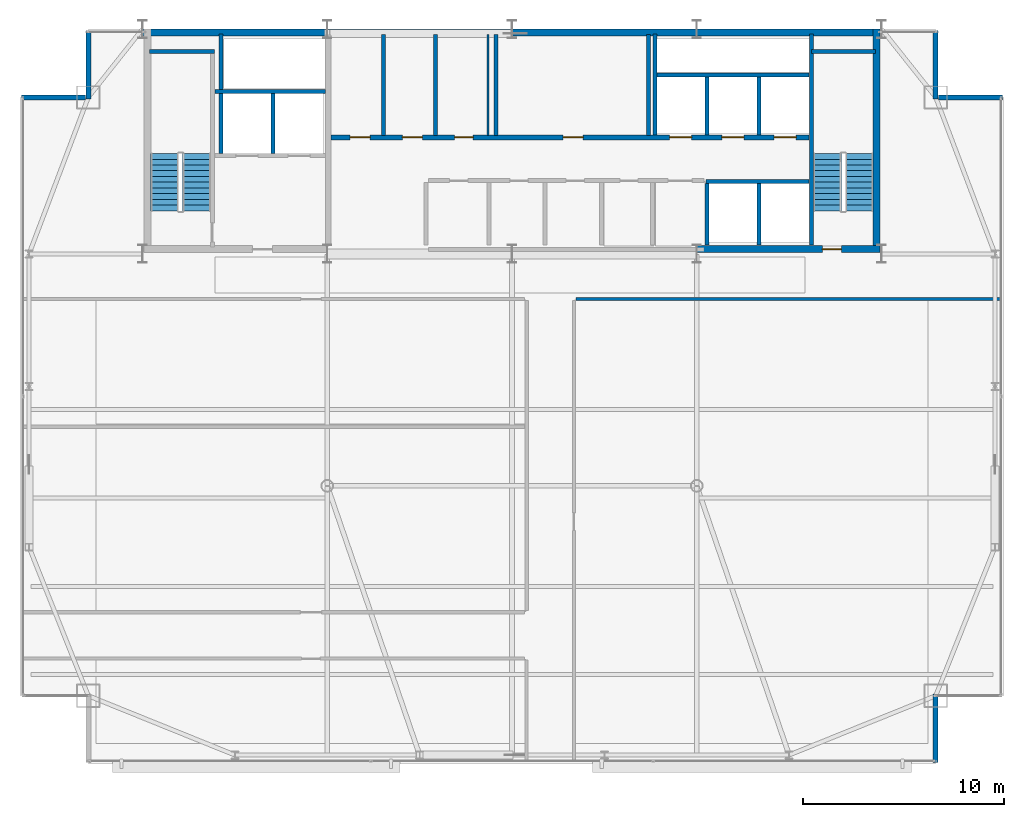
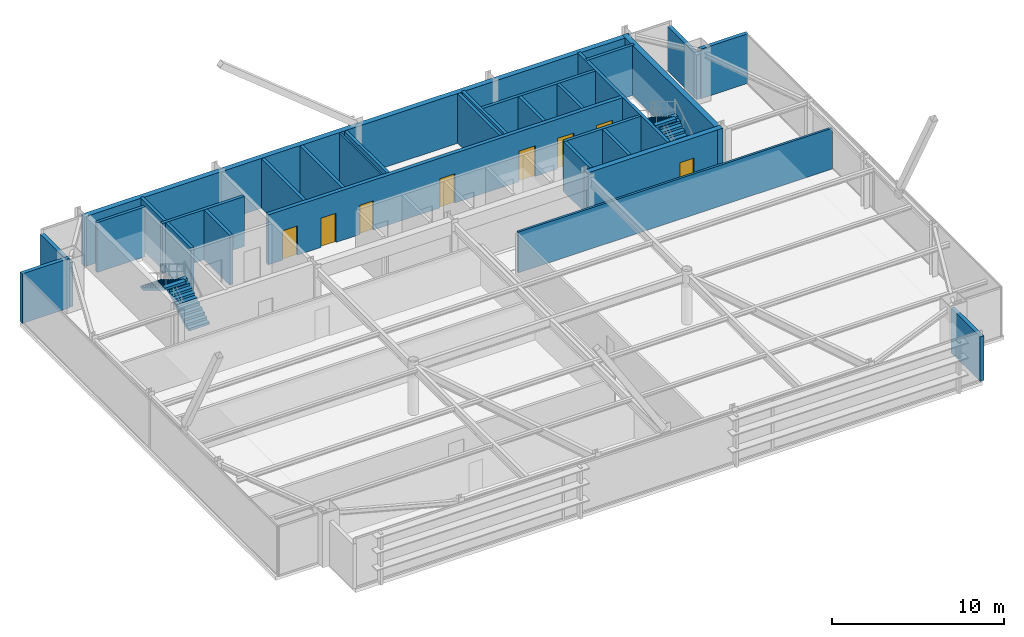
# One storey, part 25 of 27: 28 walls, 8 doors, 4 stair flights, 8 openings, 2 elements without a shape of their own.
"""IFC4 building model written with IfcOpenShell, lengths in metres."""

from ifc_helpers import new_model, si_unit, direction, frame, frame_2d, origin, place, context, subcontext, project, spatial, polyline, rectangle, outline, extrude, source, transform, mapped, material, layer, layer_set, type_object, type_shapes, element, fill, aggregate, save


model = new_model("IFC4")

# Units and contexts
model_context = context("Model", 3, precision=1e-05, world=origin(), true_north=direction((0.0, 1.0)))
body_context = subcontext(model_context, "Body", "Model", "MODEL_VIEW")
ifc_project = project(units=[si_unit("LENGTHUNIT", "METRE"), si_unit("AREAUNIT", "SQUARE_METRE"), si_unit("VOLUMEUNIT", "CUBIC_METRE"), si_unit("PLANEANGLEUNIT", "RADIAN"), si_unit("MASSUNIT", "GRAM", prefix="KILO")], contexts=[model_context])

# Site, building, storey
site_placement = place(None, origin())
site = spatial("IfcSite", under=ifc_project, at=site_placement, CompositionType="ELEMENT")
building_placement = place(site_placement, origin())
building = spatial("IfcBuilding", under=site, at=building_placement, Name="Varnel Quay Broadcast Tower", CompositionType="ELEMENT")
storey_placement = place(building_placement, frame((0.0, 0.0, 243.199951171875)))
storey = spatial("IfcBuildingStorey", under=building, at=storey_placement, Name="L60", CompositionType="ELEMENT", Elevation=243.199951171875)

# Walls
ifc_material_1 = material(Name="Concrete CSA A23.3 C50/60", Category="concrete")
ifc_layer_1 = layer(ifc_material_1, 0.199951171875, Name="Concrete CSA A23.3 C50/60")
ifc_layer_set_1 = layer_set([ifc_layer_1], Name="Concrete CSA A23.3 C50/60")
wall_type_1 = type_object("IfcWallType", Name="Wall_CoreShaftShear200", PredefinedType="SHEAR", material=ifc_layer_set_1)
wall_1_placement = place(storey_placement, frame((15.949951171875, 45.679931640625, 0.0), z_axis=(0.0, 0.0, 1.0), x_axis=(1.0, 0.0, 0.0)))
element("IfcWall", 1, at=wall_1_placement, inside=storey, type_object=wall_type_1, Name="L60 Stair 1 North Structural Wall", PredefinedType="SHEAR", context=body_context, shape_type="SweptSolid", body=[
    extrude(rectangle(XDim=3.22998046875, YDim=0.199951171875, at=frame_2d((1.614990234375, 0.0))), origin(), (0.0, 0.0, 1.0), 3.550048828125),
])
wall_2_placement = place(storey_placement, frame((19.199951171875, 43.699951171875, 0.0), z_axis=(0.0, 0.0, 1.0), x_axis=(1.0, 0.0, 0.0)))
element("IfcWall", 2, at=wall_2_placement, inside=storey, type_object=wall_type_1, Name="L60 Firefighter Lift Shaft Rear Wall", PredefinedType="SHEAR", context=body_context, shape_type="SweptSolid", body=[
    extrude(rectangle(XDim=5.52001953125, YDim=0.199951171875, at=frame_2d((2.760009765625, 0.0))), origin(), (0.0, 0.0, 1.0), 3.550048828125),
])
wall_3_placement = place(storey_placement, frame((22.10009765625, 40.60009765625, 0.0), z_axis=(0.0, 0.0, 1.0), x_axis=(0.0, 1.0, 0.0)))
element("IfcWall", 3, at=wall_3_placement, inside=storey, type_object=wall_type_1, Name="L60 Firefighter Lift Shaft Divider", PredefinedType="SHEAR", context=body_context, shape_type="SweptSolid", body=[
    extrude(rectangle(XDim=3.0, YDim=0.199951171875, at=frame_2d((1.5, 0.0))), origin(), (0.0, 0.0, 1.0), 3.550048828125),
])
wall_4_placement = place(storey_placement, frame((19.5, 40.60009765625, 0.0), z_axis=(0.0, 0.0, 1.0), x_axis=(0.0, 1.0, 0.0)))
element("IfcWall", 4, at=wall_4_placement, inside=storey, type_object=wall_type_1, Name="L60 Firefighter Lift Shaft West Wall", PredefinedType="SHEAR", context=body_context, shape_type="SweptSolid", body=[
    extrude(rectangle(XDim=5.949951171875, YDim=0.199951171875, at=frame_2d((2.97509765625, 0.0))), origin(), (0.0, 0.0, 1.0), 3.550048828125),
])
wall_5_placement = place(storey_placement, frame((48.919921875, 36.050048828125, 0.0), z_axis=(0.0, 0.0, 1.0), x_axis=(0.0, 1.0, 0.0)))
element("IfcWall", 5, at=wall_5_placement, inside=storey, type_object=wall_type_1, Name="L60 Stair 2 West Structural Wall", PredefinedType="SHEAR", context=body_context, shape_type="SweptSolid", body=[
    extrude(rectangle(XDim=10.5, YDim=0.199951171875, at=frame_2d((5.25, 0.0))), origin(), (0.0, 0.0, 1.0), 3.550048828125),
])
wall_6_placement = place(storey_placement, frame((48.919921875, 45.679931640625, 0.0), z_axis=(0.0, 0.0, 1.0), x_axis=(1.0, 0.0, 0.0)))
element("IfcWall", 6, at=wall_6_placement, inside=storey, type_object=wall_type_1, Name="L60 Stair 2 North Structural Wall", PredefinedType="SHEAR", context=body_context, shape_type="SweptSolid", body=[
    extrude(rectangle(XDim=3.18017578125, YDim=0.199951171875, at=frame_2d((1.590087890625, 0.0))), origin(), (0.0, 0.0, 1.0), 3.550048828125),
])
wall_7_placement = place(storey_placement, frame((41.219970703125, 44.5, 0.0), z_axis=(0.0, 0.0, 1.0), x_axis=(1.0, 0.0, 0.0)))
element("IfcWall", 7, at=wall_7_placement, inside=storey, type_object=wall_type_1, Name="L60 High-Rise Lift Shaft Rear Wall", PredefinedType="SHEAR", context=body_context, shape_type="SweptSolid", body=[
    extrude(rectangle(XDim=7.580078125, YDim=0.199951171875, at=frame_2d((3.7900390625, 0.0))), origin(), (0.0, 0.0, 1.0), 3.550048828125),
])
wall_8_placement = place(storey_placement, frame((41.1201171875, 41.530029296875, 0.0), z_axis=(0.0, 0.0, 1.0), x_axis=(0.0, 1.0, 0.0)))
element("IfcWall", 8, at=wall_8_placement, inside=storey, type_object=wall_type_1, Name="L60 High-Rise Lift Shaft Divider 1", PredefinedType="SHEAR", context=body_context, shape_type="SweptSolid", body=[
    extrude(rectangle(XDim=5.02001953125, YDim=0.199951171875, at=frame_2d((2.510009765625, 0.0))), origin(), (0.0, 0.0, 1.0), 3.550048828125),
])
for number, where, z_axis, x_axis, name in (
    (9, (43.699951171875, 41.530029296875, 0.0), (0.0, 0.0, 1.0), (0.0, 1.0, 0.0), "L60 High-Rise Lift Shaft Divider 2"),
    (10, (46.300048828125, 41.530029296875, 0.0), (0.0, 0.0, 1.0), (0.0, 1.0, 0.0), "L60 High-Rise Lift Shaft Divider 3"),
):
    element("IfcWall", number, at=place(storey_placement, frame(where, z_axis=z_axis, x_axis=x_axis)), inside=storey, type_object=wall_type_1, Name=name, PredefinedType="SHEAR", context=body_context, shape_type="SweptSolid", body=[
        extrude(rectangle(XDim=2.869873046875, YDim=0.199951171875, at=frame_2d((1.43505859375, 0.0))), origin(), (0.0, 0.0, 1.0), 3.550048828125),
    ])
for number, where, z_axis, x_axis, name in (
    (11, (43.699951171875, 36.050048828125, 0.0), (0.0, 0.0, 1.0), (0.0, 1.0, 0.0), "L60 Express Lift Shaft West Wall"),
    (12, (46.300048828125, 36.050048828125, 0.0), (0.0, 0.0, 1.0), (0.0, 1.0, 0.0), "L60 Express Lift Shaft Divider"),
):
    element("IfcWall", number, at=place(storey_placement, frame(where, z_axis=z_axis, x_axis=x_axis)), inside=storey, type_object=wall_type_1, Name=name, PredefinedType="SHEAR", context=body_context, shape_type="SweptSolid", body=[
        extrude(rectangle(XDim=3.050048828125, YDim=0.199951171875, at=frame_2d((1.52490234375, 0.0))), origin(), (0.0, 0.0, 1.0), 3.550048828125),
    ])
wall_9_placement = place(storey_placement, frame((43.64990234375, 39.199951171875, 0.0), z_axis=(0.0, 0.0, 1.0), x_axis=(1.0, 0.0, 0.0)))
element("IfcWall", 13, at=wall_9_placement, inside=storey, type_object=wall_type_1, Name="L60 Express Lift Shaft North Front Wall", PredefinedType="SHEAR", context=body_context, shape_type="SweptSolid", body=[
    extrude(rectangle(XDim=5.150146484375, YDim=0.199951171875, at=frame_2d((2.5751953125, 0.0))), origin(), (0.0, 0.0, 1.0), 3.550048828125),
])

# Wall, openings, doors
ifc_layer_2 = layer(ifc_material_1, 0.25, Name="Concrete CSA A23.3 C50/60")
ifc_layer_set_2 = layer_set([ifc_layer_2], Name="Concrete CSA A23.3 C50/60")
wall_type_2 = type_object("IfcWallType", Name="Wall_CoreShaftShear250", PredefinedType="SHEAR", material=ifc_layer_set_2)
wall_10_placement = place(storey_placement, frame((24.97998046875, 41.39990234375, 0.0), z_axis=(0.0, 0.0, 1.0), x_axis=(1.0, 0.0, 0.0)))
wall_10 = element("IfcWall", 14, at=wall_10_placement, inside=storey, type_object=wall_type_2, Name="L60 North Lift Bank & Reclaimed Suite Wall", PredefinedType="SHEAR", context=body_context, shape_type="SweptSolid", body=[
    extrude(rectangle(XDim=23.820068359375, YDim=0.25, at=frame_2d((11.91015625, 0.0))), origin(), (0.0, 0.0, 1.0), 3.550048828125),
])
opening_1_placement = place(wall_10_placement, frame((16.8701171875, 0.0, 0.0)))
opening_1 = element("IfcOpeningElement", 15, at=opening_1_placement, cuts=wall_10, Name="Opening LD-L60-PH-01", PredefinedType="OPENING", context=body_context, shape_type="SweptSolid", body=[
    extrude(rectangle(XDim=1.10009765625, YDim=2.179931640625, at=frame_2d((0.550048828125, 1.08984375))), frame((0.0, 0.135009765625, 0.0), z_axis=(0.0, -1.0, 0.0), x_axis=(1.0, 0.0, 0.0)), (0.0, 0.0, 1.0), 0.27001953125),
])
opening_2_placement = place(wall_10_placement, frame((19.469970703125, 0.0, 0.0)))
opening_2 = element("IfcOpeningElement", 16, at=opening_2_placement, cuts=wall_10, Name="Opening LD-L60-PH-02", PredefinedType="OPENING", context=body_context, shape_type="SweptSolid", body=[
    extrude(rectangle(XDim=1.10009765625, YDim=2.179931640625, at=frame_2d((0.550048828125, 1.08984375))), frame((0.0, 0.135009765625, 0.0), z_axis=(0.0, -1.0, 0.0), x_axis=(1.0, 0.0, 0.0)), (0.0, 0.0, 1.0), 0.27001953125),
])
opening_3_placement = place(wall_10_placement, frame((22.070068359375, 0.0, 0.0)))
opening_3 = element("IfcOpeningElement", 17, at=opening_3_placement, cuts=wall_10, Name="Opening LD-L60-PH-03", PredefinedType="OPENING", context=body_context, shape_type="SweptSolid", body=[
    extrude(rectangle(XDim=1.10009765625, YDim=2.179931640625, at=frame_2d((0.550048828125, 1.08984375))), frame((0.0, 0.135009765625, 0.0), z_axis=(0.0, -1.0, 0.0), x_axis=(1.0, 0.0, 0.0)), (0.0, 0.0, 1.0), 0.27001953125),
])
opening_4_placement = place(wall_10_placement, frame((0.9599609375, 0.0, 0.0)))
opening_4 = element("IfcOpeningElement", 18, at=opening_4_placement, cuts=wall_10, Name="Opening D-L60-RECA1", PredefinedType="OPENING", context=body_context, shape_type="SweptSolid", body=[
    extrude(rectangle(XDim=1.0, YDim=2.080078125, at=frame_2d((0.5, 1.0400390625))), frame((0.0, 0.135009765625, 0.0), z_axis=(0.0, -1.0, 0.0), x_axis=(1.0, 0.0, 0.0)), (0.0, 0.0, 1.0), 0.27001953125),
])
opening_5_placement = place(wall_10_placement, frame((3.56005859375, 0.0, 0.0)))
opening_5 = element("IfcOpeningElement", 19, at=opening_5_placement, cuts=wall_10, Name="Opening D-L60-RECA2", PredefinedType="OPENING", context=body_context, shape_type="SweptSolid", body=[
    extrude(rectangle(XDim=1.0, YDim=2.080078125, at=frame_2d((0.5, 1.0400390625))), frame((0.0, 0.135009765625, 0.0), z_axis=(0.0, -1.0, 0.0), x_axis=(1.0, 0.0, 0.0)), (0.0, 0.0, 1.0), 0.27001953125),
])
opening_6_placement = place(wall_10_placement, frame((6.159912109375, 0.0, 0.0)))
opening_6 = element("IfcOpeningElement", 20, at=opening_6_placement, cuts=wall_10, Name="Opening D-L60-RECA3", PredefinedType="OPENING", context=body_context, shape_type="SweptSolid", body=[
    extrude(rectangle(XDim=0.919921875, YDim=2.080078125, at=frame_2d((0.4599609375, 1.0400390625))), frame((0.0, 0.135009765625, 0.0), z_axis=(0.0, -1.0, 0.0), x_axis=(1.0, 0.0, 0.0)), (0.0, 0.0, 1.0), 0.27001953125),
])
opening_7_placement = place(wall_10_placement, frame((11.56005859375, 0.0, 0.0)))
opening_7 = element("IfcOpeningElement", 21, at=opening_7_placement, cuts=wall_10, Name="Opening D-L60-RECB1", PredefinedType="OPENING", context=body_context, shape_type="SweptSolid", body=[
    extrude(rectangle(XDim=1.0, YDim=2.080078125, at=frame_2d((0.5, 1.0400390625))), frame((0.0, 0.135009765625, 0.0), z_axis=(0.0, -1.0, 0.0), x_axis=(1.0, 0.0, 0.0)), (0.0, 0.0, 1.0), 0.27001953125),
])
ifc_material_2 = material(Name="Brushed Bronze-Stainless Lift Car & Sliding Doors", Category="steel")
door_type_1 = type_object("IfcDoorType", Name="Door_LiftLanding1100", OperationType="SLIDING_TO_LEFT", PredefinedType="DOOR", material=ifc_material_2)
shared_shape_1 = source(origin(), body_context, "Body", "SweptSolid", [
    extrude(rectangle(XDim=1.10009765625, YDim=2.179931640625, at=frame_2d((0.550048828125, 1.08984375))), frame((0.0, 0.02490234375, 0.0), z_axis=(0.0, -1.0, 0.0), x_axis=(1.0, 0.0, 0.0)), (0.0, 0.0, 1.0), 0.050048828125),
])
type_shapes(door_type_1, [shared_shape_1])
door_1_placement = place(opening_1_placement, frame((1.10009765625, 0.0, 0.0), z_axis=(0.0, 0.0, 1.0), x_axis=(-1.0, 0.0, 0.0)))
door_1 = element("IfcDoor", 22, at=door_1_placement, inside=storey, type_object=door_type_1, Name="L60 Lift PH-01 Landing Door", OperationType="SLIDING_TO_LEFT", OverallHeight=2.179931640625, OverallWidth=1.10009765625, PredefinedType="DOOR", context=body_context, shape_type="MappedRepresentation", body=[
    mapped(shared_shape_1, transform((0.0, 0.0, 0.0), x_axis=(1.0, 0.0, 0.0), y_axis=(0.0, 1.0, 0.0), z_axis=(0.0, 0.0, 1.0), scale=1.0)),
])
fill(opening_1, door_1)
door_2_placement = place(opening_2_placement, frame((1.10009765625, 0.0, 0.0), z_axis=(0.0, 0.0, 1.0), x_axis=(-1.0, 0.0, 0.0)))
door_2 = element("IfcDoor", 23, at=door_2_placement, inside=storey, type_object=door_type_1, Name="L60 Lift PH-02 Landing Door", OperationType="SLIDING_TO_LEFT", OverallHeight=2.179931640625, OverallWidth=1.10009765625, PredefinedType="DOOR", context=body_context, shape_type="MappedRepresentation", body=[
    mapped(shared_shape_1, transform((0.0, 0.0, 0.0), x_axis=(1.0, 0.0, 0.0), y_axis=(0.0, 1.0, 0.0), z_axis=(0.0, 0.0, 1.0), scale=1.0)),
])
fill(opening_2, door_2)
door_3_placement = place(opening_3_placement, frame((1.10009765625, 0.0, 0.0), z_axis=(0.0, 0.0, 1.0), x_axis=(-1.0, 0.0, 0.0)))
door_3 = element("IfcDoor", 24, at=door_3_placement, inside=storey, type_object=door_type_1, Name="L60 Lift PH-03 Landing Door", OperationType="SLIDING_TO_LEFT", OverallHeight=2.179931640625, OverallWidth=1.10009765625, PredefinedType="DOOR", context=body_context, shape_type="MappedRepresentation", body=[
    mapped(shared_shape_1, transform((0.0, 0.0, 0.0), x_axis=(1.0, 0.0, 0.0), y_axis=(0.0, 1.0, 0.0), z_axis=(0.0, 0.0, 1.0), scale=1.0)),
])
fill(opening_3, door_3)
ifc_material_3 = material(Name="Insulated Fire-Rated Hollow Steel Door", Category="steel")
door_type_2 = type_object("IfcDoorType", Name="Door_FireLobby1000", OperationType="NOTDEFINED", PredefinedType="DOOR", material=ifc_material_3)
shared_shape_2 = source(origin(), body_context, "Body", "SweptSolid", [
    extrude(rectangle(XDim=1.0, YDim=2.080078125, at=frame_2d((0.5, 1.0400390625))), frame((0.0, 0.02490234375, 0.0), z_axis=(0.0, -1.0, 0.0), x_axis=(1.0, 0.0, 0.0)), (0.0, 0.0, 1.0), 0.050048828125),
])
type_shapes(door_type_2, [shared_shape_2])
door_4_placement = place(opening_4_placement, origin())
door_4 = element("IfcDoor", 25, at=door_4_placement, inside=storey, type_object=door_type_2, Name="L60 Ingest Rack Bay A Door", OperationType="SINGLE_SWING_LEFT", OverallHeight=2.080078125, OverallWidth=1.0, PredefinedType="DOOR", context=body_context, shape_type="MappedRepresentation", body=[
    mapped(shared_shape_2, transform((0.0, 0.0, 0.0), x_axis=(1.0, 0.0, 0.0), y_axis=(0.0, 1.0, 0.0), z_axis=(0.0, 0.0, 1.0), scale=1.0)),
])
fill(opening_4, door_4)
door_5_placement = place(opening_5_placement, origin())
door_5 = element("IfcDoor", 26, at=door_5_placement, inside=storey, type_object=door_type_2, Name="L60 Fiber Patch Bay Door", OperationType="SINGLE_SWING_RIGHT", OverallHeight=2.080078125, OverallWidth=1.0, PredefinedType="DOOR", context=body_context, shape_type="MappedRepresentation", body=[
    mapped(shared_shape_2, transform((0.0, 0.0, 0.0), x_axis=(1.0, 0.0, 0.0), y_axis=(0.0, 1.0, 0.0), z_axis=(0.0, 0.0, 1.0), scale=1.0)),
])
fill(opening_5, door_5)
door_6_placement = place(opening_7_placement, origin())
door_6 = element("IfcDoor", 27, at=door_6_placement, inside=storey, type_object=door_type_2, Name="L60 High-Zone Broadcast Rack Hall Door", OperationType="SINGLE_SWING_RIGHT", OverallHeight=2.080078125, OverallWidth=1.0, PredefinedType="DOOR", context=body_context, shape_type="MappedRepresentation", body=[
    mapped(shared_shape_2, transform((0.0, 0.0, 0.0), x_axis=(1.0, 0.0, 0.0), y_axis=(0.0, 1.0, 0.0), z_axis=(0.0, 0.0, 1.0), scale=1.0)),
])
fill(opening_7, door_6)
ifc_material_4 = material(Name="Solid-Core Fire-Rated Acoustic Oak Veneer Door", Category="wood")
door_type_3 = type_object("IfcDoorType", Name="Door_Office920", OperationType="NOTDEFINED", PredefinedType="DOOR", material=ifc_material_4)
shared_shape_3 = source(origin(), body_context, "Body", "SweptSolid", [
    extrude(rectangle(XDim=0.919921875, YDim=2.080078125, at=frame_2d((0.4599609375, 1.0400390625))), frame((0.0, 0.02490234375, 0.0), z_axis=(0.0, -1.0, 0.0), x_axis=(1.0, 0.0, 0.0)), (0.0, 0.0, 1.0), 0.050048828125),
])
type_shapes(door_type_3, [shared_shape_3])
door_7_placement = place(opening_6_placement, origin())
door_7 = element("IfcDoor", 28, at=door_7_placement, inside=storey, type_object=door_type_3, Name="L60 Telemetry Store Door", OperationType="SINGLE_SWING_LEFT", OverallHeight=2.080078125, OverallWidth=0.919921875, PredefinedType="DOOR", context=body_context, shape_type="MappedRepresentation", body=[
    mapped(shared_shape_3, transform((0.0, 0.0, 0.0), x_axis=(1.0, 0.0, 0.0), y_axis=(0.0, 1.0, 0.0), z_axis=(0.0, 0.0, 1.0), scale=1.0)),
])
fill(opening_6, door_7)

# Walls
ifc_layer_3 = layer(ifc_material_1, 0.35009765625, Name="Concrete CSA A23.3 C50/60")
ifc_layer_set_3 = layer_set([ifc_layer_3], Name="Concrete CSA A23.3 C50/60")
wall_type_3 = type_object("IfcWallType", Name="Wall_CoreShearExt350", PredefinedType="SHEAR", material=ifc_layer_set_3)
wall_11_placement = place(storey_placement, frame((15.60009765625, 46.625, 0.0), z_axis=(0.0, 0.0, 1.0), x_axis=(1.0, 0.0, 0.0)))
element("IfcWall", 29, at=wall_11_placement, inside=storey, type_object=wall_type_3, Name="L60 North Core Shear Wall", PredefinedType="SHEAR", context=body_context, shape_type="SweptSolid", body=[
    extrude(rectangle(XDim=36.7998046875, YDim=0.35009765625, at=frame_2d((18.39990234375, 0.0))), origin(), (0.0, 0.0, 1.0), 3.550048828125),
])
ifc_layer_4 = layer(ifc_material_1, 0.35009765625, Name="Concrete CSA A23.3 C50/60")
ifc_layer_set_4 = layer_set([ifc_layer_4], Name="Concrete CSA A23.3 C50/60")
wall_type_4 = type_object("IfcWallType", Name="Wall_CoreShearInt350", PredefinedType="SHEAR", material=ifc_layer_set_4)
wall_12_placement = place(storey_placement, frame((52.155029296875, 35.669921875, 0.0), z_axis=(0.0, 0.0, 1.0), x_axis=(0.0, 1.0, 0.0)))
element("IfcWall", 30, at=wall_12_placement, inside=storey, type_object=wall_type_4, Name="L60 East Core Shear Wall", PredefinedType="SHEAR", context=body_context, shape_type="SweptSolid", body=[
    extrude(rectangle(XDim=11.130126953125, YDim=0.35009765625, at=frame_2d((5.56494140625, 0.0))), origin(), (0.0, 0.0, 1.0), 3.550048828125),
])

# Wall, opening, door
wall_13_placement = place(storey_placement, frame((43.199951171875, 35.844970703125, 0.0), z_axis=(0.0, 0.0, 1.0), x_axis=(1.0, 0.0, 0.0)))
wall_13 = element("IfcWall", 31, at=wall_13_placement, inside=storey, type_object=wall_type_4, Name="L60 South-East Core Shear Wall", PredefinedType="SHEAR", context=body_context, shape_type="SweptSolid", body=[
    extrude(rectangle(XDim=9.130126953125, YDim=0.35009765625, at=frame_2d((4.56494140625, 0.0))), origin(), (0.0, 0.0, 1.0), 3.550048828125),
])
opening_8_placement = place(wall_13_placement, frame((6.25, 0.0, 0.0)))
opening_8 = element("IfcOpeningElement", 32, at=opening_8_placement, cuts=wall_13, Name="Opening D-L60-S2", PredefinedType="OPENING", context=body_context, shape_type="SweptSolid", body=[
    extrude(rectangle(XDim=0.949951171875, YDim=2.10009765625, at=frame_2d((0.47509765625, 1.050048828125))), frame((0.0, 0.18505859375, 0.0), z_axis=(0.0, -1.0, 0.0), x_axis=(1.0, 0.0, 0.0)), (0.0, 0.0, 1.0), 0.3701171875),
])
door_type_4 = type_object("IfcDoorType", Name="Door_FireStair950", OperationType="NOTDEFINED", PredefinedType="DOOR", material=ifc_material_3)
shared_shape_4 = source(origin(), body_context, "Body", "SweptSolid", [
    extrude(rectangle(XDim=0.949951171875, YDim=2.10009765625, at=frame_2d((0.47509765625, 1.050048828125))), frame((0.0, 0.02490234375, 0.0), z_axis=(0.0, -1.0, 0.0), x_axis=(1.0, 0.0, 0.0)), (0.0, 0.0, 1.0), 0.050048828125),
])
type_shapes(door_type_4, [shared_shape_4])
door_8_placement = place(opening_8_placement, origin())
door_8 = element("IfcDoor", 33, at=door_8_placement, inside=storey, type_object=door_type_4, Name="L60 Stair 2 Fire Door", OperationType="SINGLE_SWING_RIGHT", OverallHeight=2.10009765625, OverallWidth=0.949951171875, PredefinedType="DOOR", context=body_context, shape_type="MappedRepresentation", body=[
    mapped(shared_shape_4, transform((0.0, 0.0, 0.0), x_axis=(1.0, 0.0, 0.0), y_axis=(0.0, 1.0, 0.0), z_axis=(0.0, 0.0, 1.0), scale=1.0)),
])
fill(opening_8, door_8)

# Walls
ifc_material_5 = material(Name="Precast Architectural Concrete C40/50", Category="concrete")
ifc_layer_5 = layer(ifc_material_5, 0.25, Name="Precast Architectural Concrete C40/50")
ifc_layer_set_5 = layer_set([ifc_layer_5], Name="Precast Architectural Concrete C40/50")
wall_type_5 = type_object("IfcWallType", Name="Wall_ExtTerrace250", PredefinedType="SOLIDWALL", material=ifc_layer_set_5)
wall_14_placement = place(storey_placement, frame((55.10009765625, 10.280029296875, 0.0), z_axis=(0.0, 0.0, 1.0), x_axis=(0.0, 1.0, 0.0)))
element("IfcWall", 34, at=wall_14_placement, inside=storey, type_object=wall_type_5, Name="L60 Mega-Column Notch Cladding Wall NSE2", PredefinedType="SOLIDWALL", context=body_context, shape_type="SweptSolid", body=[
    extrude(rectangle(XDim=3.39990234375, YDim=0.25, at=frame_2d((1.699951171875, 0.0))), origin(), (0.0, 0.0, 1.0), 3.171142578125),
])
wall_15_placement = place(storey_placement, frame((9.580078125, 43.39990234375, 0.0), z_axis=(0.0, 0.0, 1.0), x_axis=(1.0, 0.0, 0.0)))
element("IfcWall", 35, at=wall_15_placement, inside=storey, type_object=wall_type_5, Name="L60 Mega-Column Notch Cladding Wall NNW1", PredefinedType="SOLIDWALL", context=body_context, shape_type="SweptSolid", body=[
    extrude(rectangle(XDim=3.18994140625, YDim=0.25, at=frame_2d((1.594970703125, 0.0))), origin(), (0.0, 0.0, 1.0), 3.530029296875),
])
wall_16_placement = place(storey_placement, frame((12.89990234375, 43.320068359375, 0.0), z_axis=(0.0, 0.0, 1.0), x_axis=(0.0, 1.0, 0.0)))
element("IfcWall", 36, at=wall_16_placement, inside=storey, type_object=wall_type_5, Name="L60 Mega-Column Notch Cladding Wall NNW2", PredefinedType="SOLIDWALL", context=body_context, shape_type="SweptSolid", body=[
    extrude(rectangle(XDim=3.39990234375, YDim=0.25, at=frame_2d((1.699951171875, 0.0))), origin(), (0.0, 0.0, 1.0), 3.171142578125),
])
wall_17_placement = place(storey_placement, frame((55.22998046875, 43.39990234375, 0.0), z_axis=(0.0, 0.0, 1.0), x_axis=(1.0, 0.0, 0.0)))
element("IfcWall", 37, at=wall_17_placement, inside=storey, type_object=wall_type_5, Name="L60 Mega-Column Notch Cladding Wall NNE1", PredefinedType="SOLIDWALL", context=body_context, shape_type="SweptSolid", body=[
    extrude(rectangle(XDim=3.18994140625, YDim=0.25, at=frame_2d((1.594970703125, 0.0))), origin(), (0.0, 0.0, 1.0), 3.530029296875),
])
wall_18_placement = place(storey_placement, frame((55.10009765625, 43.320068359375, 0.0), z_axis=(0.0, 0.0, 1.0), x_axis=(0.0, 1.0, 0.0)))
element("IfcWall", 38, at=wall_18_placement, inside=storey, type_object=wall_type_5, Name="L60 Mega-Column Notch Cladding Wall NNE2", PredefinedType="SOLIDWALL", context=body_context, shape_type="SweptSolid", body=[
    extrude(rectangle(XDim=3.39990234375, YDim=0.25, at=frame_2d((1.699951171875, 0.0))), origin(), (0.0, 0.0, 1.0), 3.171142578125),
])
ifc_material_6 = material(Name="Concrete Blockwork Fire Enclosure C40/50", Category="masonry")
ifc_layer_6 = layer(ifc_material_6, 0.199951171875, Name="Concrete Blockwork Fire Enclosure C40/50")
ifc_layer_set_6 = layer_set([ifc_layer_6], Name="Concrete Blockwork Fire Enclosure C40/50")
wall_type_6 = type_object("IfcWallType", Name="Wall_FireShaft200", PredefinedType="SOLIDWALL", material=ifc_layer_set_6)
for number, where, z_axis, x_axis, name in (
    (39, (27.60009765625, 41.5, 0.0), (0.0, 0.0, 1.0), (0.0, 1.0, 0.0), "L60 Ingest Rack Bay A Partition 16"),
    (40, (30.199951171875, 41.5, 0.0), (0.0, 0.0, 1.0), (0.0, 1.0, 0.0), "L60 Fiber Patch Bay Partition 17"),
    (41, (40.800048828125, 41.5, 0.0), (0.0, 0.0, 1.0), (0.0, 1.0, 0.0), "L60 High-Zone Broadcast Rack Hall Partition 19"),
    (42, (33.199951171875, 41.5, 0.0), (0.0, 0.0, 1.0), (0.0, 1.0, 0.0), "L60 High-Zone Broadcast Rack Hall Partition 20"),
):
    element("IfcWall", number, at=place(storey_placement, frame(where, z_axis=z_axis, x_axis=x_axis)), inside=storey, type_object=wall_type_6, Name=name, PredefinedType="SOLIDWALL", context=body_context, shape_type="SweptSolid", body=[
        extrude(rectangle(XDim=5.02001953125, YDim=0.199951171875, at=frame_2d((2.510009765625, 0.0))), origin(), (0.0, 0.0, 1.0), 3.530029296875),
    ])
ifc_material_7 = material(Name="Steel-Stud Fire-Rated Acoustic Gypsum Partition Assembly", Category="steel")
ifc_layer_7 = layer(ifc_material_7, 0.10498046875, Name="Steel-Stud Fire-Rated Acoustic Gypsum Partition Assembly")
ifc_layer_set_7 = layer_set([ifc_layer_7], Name="Steel-Stud Fire-Rated Acoustic Gypsum Partition Assembly")
wall_type_7 = type_object("IfcWallType", Name="Wall_Partition105", PredefinedType="PARTITIONING", material=ifc_layer_set_7)
wall_19_placement = place(storey_placement, frame((32.800048828125, 41.5, 0.0), z_axis=(0.0, 0.0, 1.0), x_axis=(0.0, 1.0, 0.0)))
element("IfcWall", 43, at=wall_19_placement, inside=storey, type_object=wall_type_7, Name="L60 Telemetry Store Partition 18", PredefinedType="PARTITIONING", context=body_context, shape_type="SweptSolid", body=[
    extrude(rectangle(XDim=5.02001953125, YDim=0.10498046875, at=frame_2d((2.510009765625, 0.0))), origin(), (0.0, 0.0, 1.0), 3.530029296875),
])
ifc_layer_8 = layer(ifc_material_7, 0.14990234375, Name="Steel-Stud Fire-Rated Acoustic Gypsum Partition Assembly")
ifc_layer_set_8 = layer_set([ifc_layer_8], Name="Steel-Stud Fire-Rated Acoustic Gypsum Partition Assembly")
wall_type_8 = type_object("IfcWallType", Name="Wall_Partition150", PredefinedType="PARTITIONING", material=ifc_layer_set_8)
wall_20_placement = place(storey_placement, frame((37.179931640625, 33.35009765625, 0.0), z_axis=(0.0, 0.0, 1.0), x_axis=(1.0, 0.0, 0.0)))
element("IfcWall", 44, at=wall_20_placement, inside=storey, type_object=wall_type_8, Name="L60 Tea Kitchen 4 Partition 14", PredefinedType="PARTITIONING", context=body_context, shape_type="SweptSolid", body=[
    extrude(rectangle(XDim=21.14013671875, YDim=0.14990234375, at=frame_2d((10.570068359375, 0.0))), origin(), (0.0, 0.0, 1.0), 2.907958984375),
])

# Stair, stair flights
ifc_material_8 = material(Name="Precast Structural Concrete C40/50", Category="concrete")
stair_type_1 = type_object("IfcStairType", Name="Stair_ST-01", PredefinedType="HALF_TURN_STAIR", material=ifc_material_8)
stair_1_placement = place(storey_placement, origin())
stair_1 = element("IfcStair", 45, at=stair_1_placement, inside=storey, type_object=stair_type_1, Name="L60 West Core Exit Stair 1", PredefinedType="HALF_TURN_STAIR")
stair_flight_type_1 = type_object("IfcStairFlightType", Name="Flight_ST-01", PredefinedType="STRAIGHT", material=ifc_material_8)
stair_flight_1_placement = place(storey_placement, frame((18.300048828125, 37.75, 0.0), z_axis=(0.0, 0.0, 1.0), x_axis=(0.0, 1.0, 0.0)))
stair_flight_1 = element("IfcStairFlight", 46, at=stair_flight_1_placement, type_object=stair_flight_type_1, Name="ST-01 flight 1", NumberOfRisers=11, NumberOfTreads=10, PredefinedType="STRAIGHT", RiserHeight=0.172727273, TreadLength=0.285, context=body_context, shape_type="SweptSolid", body=[
    extrude(outline(polyline([(0.0, 0.0), (0.0, 0.172607421875), (0.284912109375, 0.172607421875), (0.284912109375, 0.345458984375), (0.570068359375, 0.345458984375), (0.570068359375, 0.51806640625), (0.85498046875, 0.51806640625), (0.85498046875, 0.69091796875), (1.139892578125, 0.69091796875), (1.139892578125, 0.863525390625), (1.425048828125, 0.863525390625), (1.425048828125, 1.036376953125), (1.7099609375, 1.036376953125), (1.7099609375, 1.208984375), (1.9951171875, 1.208984375), (1.9951171875, 1.3818359375), (2.280029296875, 1.3818359375), (2.280029296875, 1.554443359375), (2.56494140625, 1.554443359375), (2.56494140625, 1.727294921875), (2.85009765625, 1.727294921875), (2.85009765625, 1.89990234375), (2.85009765625, 1.552001953125), (0.289306640625, 0.0), (0.0, 0.0)])), frame((0.0, 0.699951171875, 0.0), z_axis=(0.0, -1.0, 0.0), x_axis=(1.0, 0.0, 0.0)), (0.0, 0.0, 1.0), 1.39990234375),
])
stair_flight_2_placement = place(storey_placement, frame((16.699951171875, 40.60009765625, 1.900146484375), z_axis=(0.0, 0.0, 1.0), x_axis=(0.0, -1.0, 0.0)))
stair_flight_2 = element("IfcStairFlight", 47, at=stair_flight_2_placement, type_object=stair_flight_type_1, Name="ST-01 flight 2", NumberOfRisers=11, NumberOfTreads=10, PredefinedType="STRAIGHT", RiserHeight=0.172727273, TreadLength=0.285, context=body_context, shape_type="SweptSolid", body=[
    extrude(outline(polyline([(0.0, 0.0), (0.0, 0.172607421875), (0.284912109375, 0.172607421875), (0.284912109375, 0.345458984375), (0.570068359375, 0.345458984375), (0.570068359375, 0.51806640625), (0.85498046875, 0.51806640625), (0.85498046875, 0.69091796875), (1.139892578125, 0.69091796875), (1.139892578125, 0.863525390625), (1.425048828125, 0.863525390625), (1.425048828125, 1.036376953125), (1.7099609375, 1.036376953125), (1.7099609375, 1.208984375), (1.9951171875, 1.208984375), (1.9951171875, 1.3818359375), (2.280029296875, 1.3818359375), (2.280029296875, 1.554443359375), (2.56494140625, 1.554443359375), (2.56494140625, 1.727294921875), (2.85009765625, 1.727294921875), (2.85009765625, 1.89990234375), (2.85009765625, 1.552001953125), (0.289306640625, 0.0), (0.0, 0.0)])), frame((0.0, 0.699951171875, 0.0), z_axis=(0.0, -1.0, 0.0), x_axis=(1.0, 0.0, 0.0)), (0.0, 0.0, 1.0), 1.39990234375),
])
aggregate(stair_1, [stair_flight_1, stair_flight_2])

stair_type_2 = type_object("IfcStairType", Name="Stair_ST-02", PredefinedType="HALF_TURN_STAIR", material=ifc_material_8)
stair_2_placement = place(storey_placement, origin())
stair_2 = element("IfcStair", 48, at=stair_2_placement, inside=storey, type_object=stair_type_2, Name="L60 East Core Exit Stair 2", PredefinedType="HALF_TURN_STAIR")
stair_flight_type_2 = type_object("IfcStairFlightType", Name="Flight_ST-02", PredefinedType="STRAIGHT", material=ifc_material_8)
stair_flight_3_placement = place(storey_placement, frame((51.300048828125, 37.75, 0.0), z_axis=(0.0, 0.0, 1.0), x_axis=(0.0, 1.0, 0.0)))
stair_flight_3 = element("IfcStairFlight", 49, at=stair_flight_3_placement, type_object=stair_flight_type_2, Name="ST-02 flight 1", NumberOfRisers=11, NumberOfTreads=10, PredefinedType="STRAIGHT", RiserHeight=0.172727273, TreadLength=0.285, context=body_context, shape_type="SweptSolid", body=[
    extrude(outline(polyline([(0.0, 0.0), (0.0, 0.172607421875), (0.284912109375, 0.172607421875), (0.284912109375, 0.345458984375), (0.570068359375, 0.345458984375), (0.570068359375, 0.51806640625), (0.85498046875, 0.51806640625), (0.85498046875, 0.69091796875), (1.139892578125, 0.69091796875), (1.139892578125, 0.863525390625), (1.425048828125, 0.863525390625), (1.425048828125, 1.036376953125), (1.7099609375, 1.036376953125), (1.7099609375, 1.208984375), (1.9951171875, 1.208984375), (1.9951171875, 1.3818359375), (2.280029296875, 1.3818359375), (2.280029296875, 1.554443359375), (2.56494140625, 1.554443359375), (2.56494140625, 1.727294921875), (2.85009765625, 1.727294921875), (2.85009765625, 1.89990234375), (2.85009765625, 1.552001953125), (0.289306640625, 0.0), (0.0, 0.0)])), frame((0.0, 0.699951171875, 0.0), z_axis=(0.0, -1.0, 0.0), x_axis=(1.0, 0.0, 0.0)), (0.0, 0.0, 1.0), 1.39990234375),
])
stair_flight_4_placement = place(storey_placement, frame((49.699951171875, 40.60009765625, 1.900146484375), z_axis=(0.0, 0.0, 1.0), x_axis=(0.0, -1.0, 0.0)))
stair_flight_4 = element("IfcStairFlight", 50, at=stair_flight_4_placement, type_object=stair_flight_type_2, Name="ST-02 flight 2", NumberOfRisers=11, NumberOfTreads=10, PredefinedType="STRAIGHT", RiserHeight=0.172727273, TreadLength=0.285, context=body_context, shape_type="SweptSolid", body=[
    extrude(outline(polyline([(0.0, 0.0), (0.0, 0.172607421875), (0.284912109375, 0.172607421875), (0.284912109375, 0.345458984375), (0.570068359375, 0.345458984375), (0.570068359375, 0.51806640625), (0.85498046875, 0.51806640625), (0.85498046875, 0.69091796875), (1.139892578125, 0.69091796875), (1.139892578125, 0.863525390625), (1.425048828125, 0.863525390625), (1.425048828125, 1.036376953125), (1.7099609375, 1.036376953125), (1.7099609375, 1.208984375), (1.9951171875, 1.208984375), (1.9951171875, 1.3818359375), (2.280029296875, 1.3818359375), (2.280029296875, 1.554443359375), (2.56494140625, 1.554443359375), (2.56494140625, 1.727294921875), (2.85009765625, 1.727294921875), (2.85009765625, 1.89990234375), (2.85009765625, 1.552001953125), (0.289306640625, 0.0), (0.0, 0.0)])), frame((0.0, 0.699951171875, 0.0), z_axis=(0.0, -1.0, 0.0), x_axis=(1.0, 0.0, 0.0)), (0.0, 0.0, 1.0), 1.39990234375),
])
aggregate(stair_2, [stair_flight_3, stair_flight_4])

save(model, "model.ifc")
